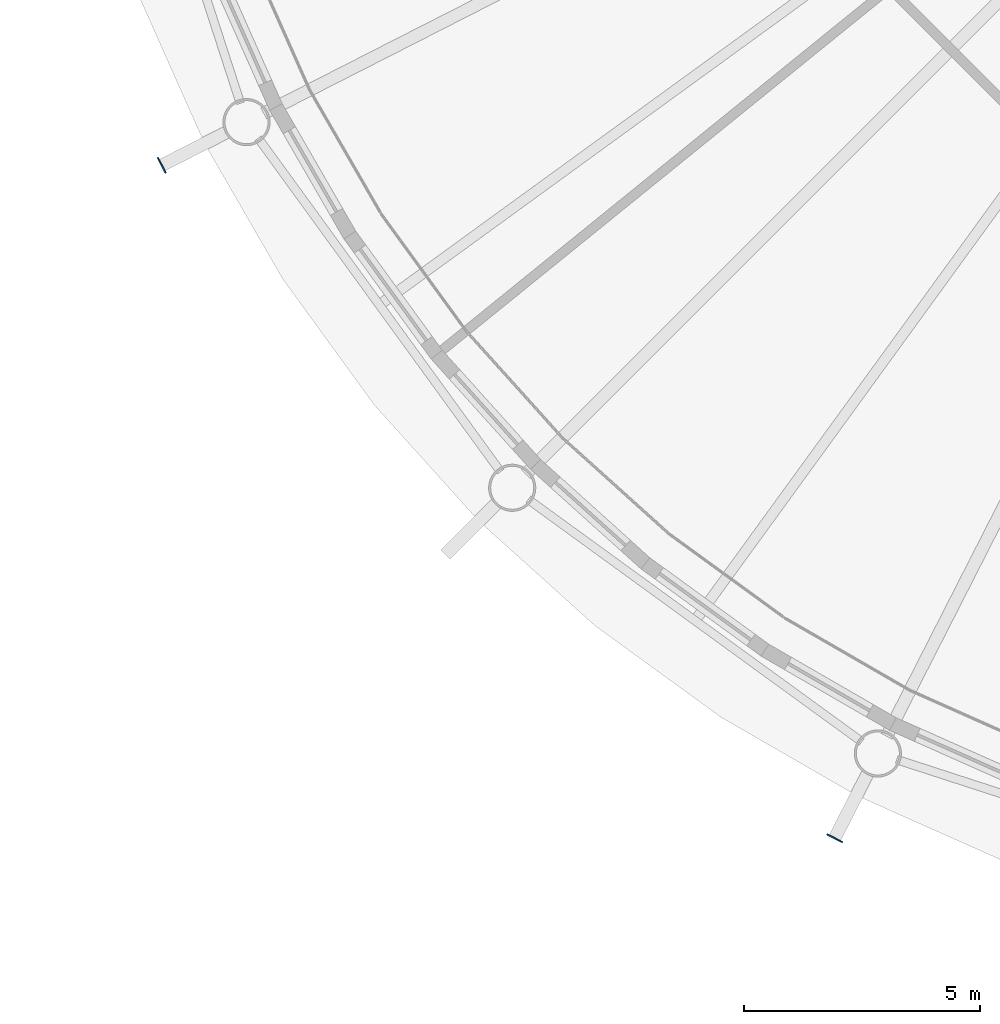
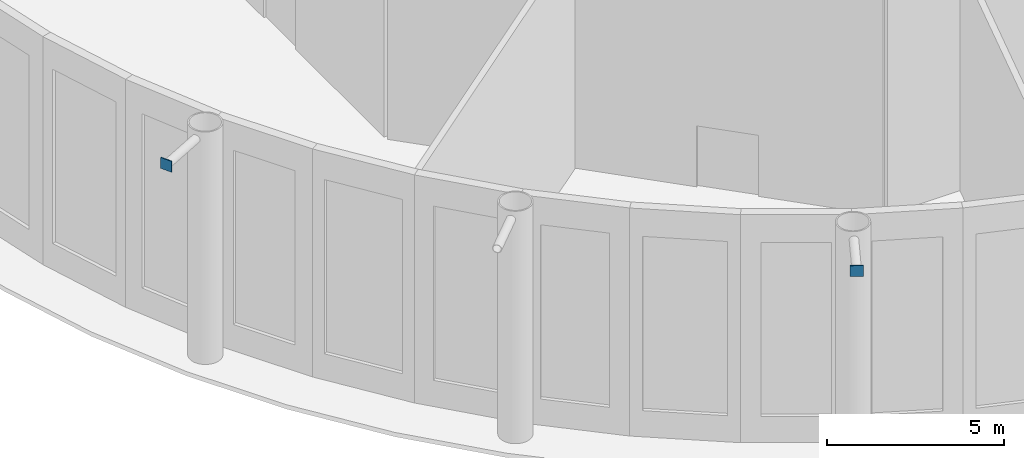
# One storey, part 10 of 17: 2 discrete accessories.
"""IFC4 building model written with IfcOpenShell, lengths in metres."""

from ifc_helpers import new_model, si_unit, direction, frame, origin, origin_2d, place, context, subcontext, project, spatial, rectangle, extrude, material, element, save


model = new_model("IFC4")

# Units and contexts
model_context = context("Model", 3, precision=1e-05, world=origin(), true_north=direction((0.0, 1.0)))
body_context = subcontext(model_context, "Body", "Model", "MODEL_VIEW")
ifc_project = project(units=[si_unit("LENGTHUNIT", "METRE"), si_unit("AREAUNIT", "SQUARE_METRE"), si_unit("VOLUMEUNIT", "CUBIC_METRE"), si_unit("PLANEANGLEUNIT", "RADIAN"), si_unit("MASSUNIT", "GRAM", prefix="KILO")], contexts=[model_context])

# Site, building, storey
site_placement = place(None, origin())
site = spatial("IfcSite", under=ifc_project, at=site_placement, CompositionType="ELEMENT")
building_placement = place(site_placement, origin())
building = spatial("IfcBuilding", under=site, at=building_placement, Name="Entoto Ring Tower", CompositionType="ELEMENT")
storey_placement = place(building_placement, frame((0.0, 0.0, 407.0)))
storey = spatial("IfcBuildingStorey", under=building, at=storey_placement, Name="L93", CompositionType="ELEMENT", Elevation=407.0)

# Discrete accessories
ifc_material = material(Name="Steel S355", Category="steel")
for number, where, z_axis, x_axis, name in (
    (1, (60.93994140625, 65.193115234375, 7.52685546875), (0.0, 0.0, 1.0), (-0.891006524188, -0.45399049974, 0.0), "Node strut end plate DS2 ring 30 12"),
    (2, (75.193115234375, 50.93994140625, 7.52685546875), (0.0, 0.0, 1.0), (-0.45399049974, -0.891006524188, 0.0), "Node strut end plate DS2 ring 30 14"),
):
    element("IfcDiscreteAccessory", number, at=place(storey_placement, frame(where, z_axis=z_axis, x_axis=x_axis)), inside=storey, material=ifc_material, Name=name, PredefinedType="BRACKET", context=body_context, shape_type="SweptSolid", body=[
        extrude(rectangle(XDim=0.030029296875, YDim=0.373046875, at=origin_2d()), origin(), (0.0, 0.0, 1.0), 0.373046875),
    ])

save(model, "model.ifc")
